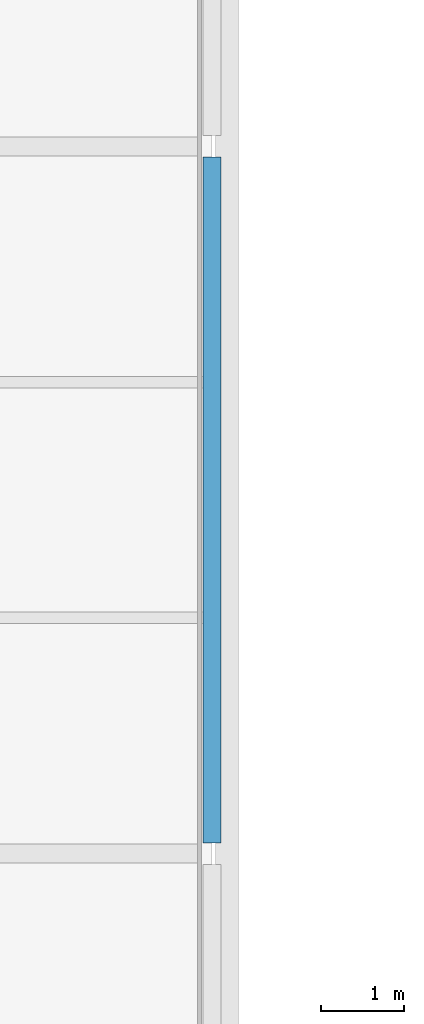
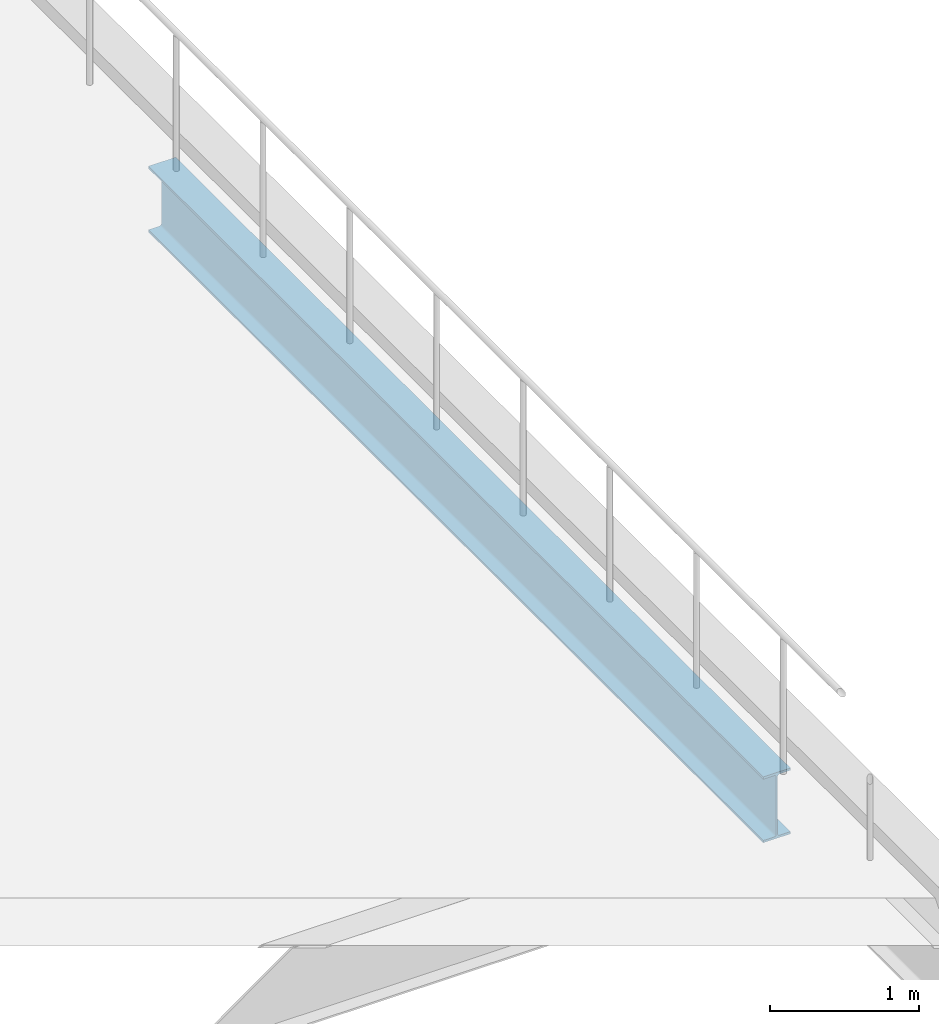
# One storey, part 64 of 156: 1 beam.
"""IFC4 building model written with IfcOpenShell, lengths in metres."""

from ifc_helpers import new_model, si_unit, direction, frame, origin, origin_2d, place, context, subcontext, project, spatial, i_section, extrude, material, material_profile, profile_set, type_object, element, save


model = new_model("IFC4")

# Units and contexts
model_context = context("Model", 3, precision=1e-05, world=origin(), true_north=direction((0.0, 1.0)))
body_context = subcontext(model_context, "Body", "Model", "MODEL_VIEW")
ifc_project = project(units=[si_unit("LENGTHUNIT", "METRE"), si_unit("AREAUNIT", "SQUARE_METRE"), si_unit("VOLUMEUNIT", "CUBIC_METRE"), si_unit("PLANEANGLEUNIT", "RADIAN"), si_unit("MASSUNIT", "GRAM", prefix="KILO")], contexts=[model_context])

# Site, building, storey
site_placement = place(None, origin())
site = spatial("IfcSite", under=ifc_project, at=site_placement, CompositionType="ELEMENT")
building_placement = place(site_placement, origin())
building = spatial("IfcBuilding", under=site, at=building_placement, Name="Caurita Quay Ferry Terminal", CompositionType="ELEMENT")
storey_placement = place(building_placement, frame((0.0, 0.0, 5.39990234375)))
storey = spatial("IfcBuildingStorey", under=building, at=storey_placement, Name="L01", CompositionType="ELEMENT", Elevation=5.39990234375)

# Beam
ifc_material = material(Name="Structural steel ASTM A992 Gr. 50", Category="steel")
ifc_material_profile = material_profile(ifc_material, i_section(OverallWidth=0.210693359375, OverallDepth=0.53857421875, WebThickness=0.01171875, FlangeThickness=0.018798828125, FilletRadius=0.013916015625, at=origin_2d()), Name="W21X73")
ifc_profile_set = profile_set([ifc_material_profile], Name="Structural steel ASTM A992 Gr. 50")
beam_type = type_object("IfcBeamType", Name="BM-GR-W21A", PredefinedType="BEAM", material=ifc_profile_set)
beam_placement = place(storey_placement, frame((153.199951171875, 8.62939453125, -0.529296875), z_axis=(0.0, 1.0, 0.0), x_axis=(-1.0, 0.0, 0.0)))
element("IfcBeam", 1, at=beam_placement, inside=storey, type_object=beam_type, Name="L01 Beam BM-V3P-L01-Y-1532-86", PredefinedType="BEAM", context=body_context, shape_type="SweptSolid", body=[
    extrude(i_section(OverallWidth=0.210693359375, OverallDepth=0.53857421875, WebThickness=0.01171875, FlangeThickness=0.018798828125, FilletRadius=0.013916015625, at=origin_2d()), origin(), (0.0, 0.0, 1.0), 8.2412109375),
])

save(model, "model.ifc")
